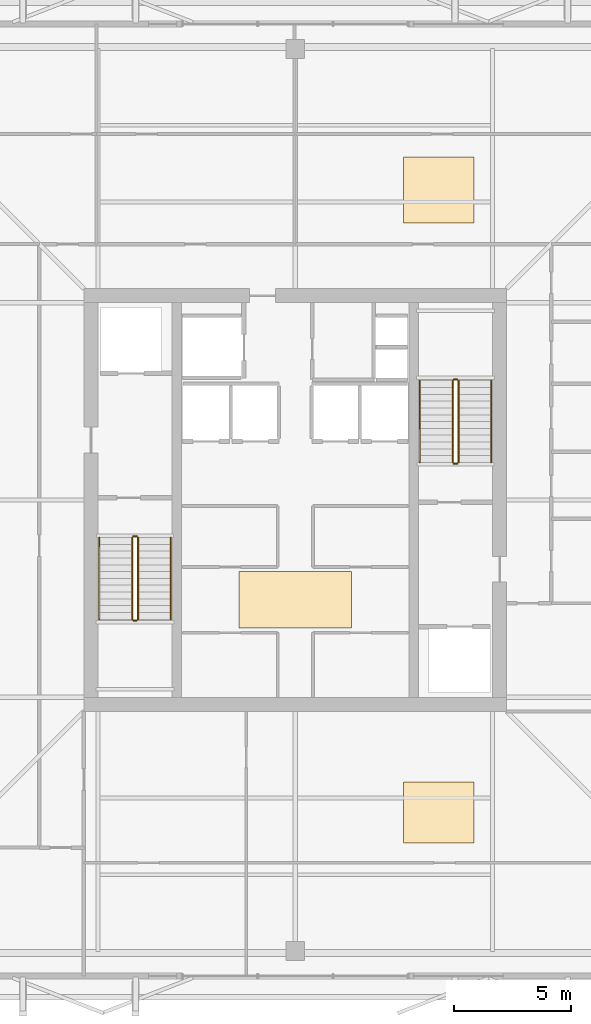
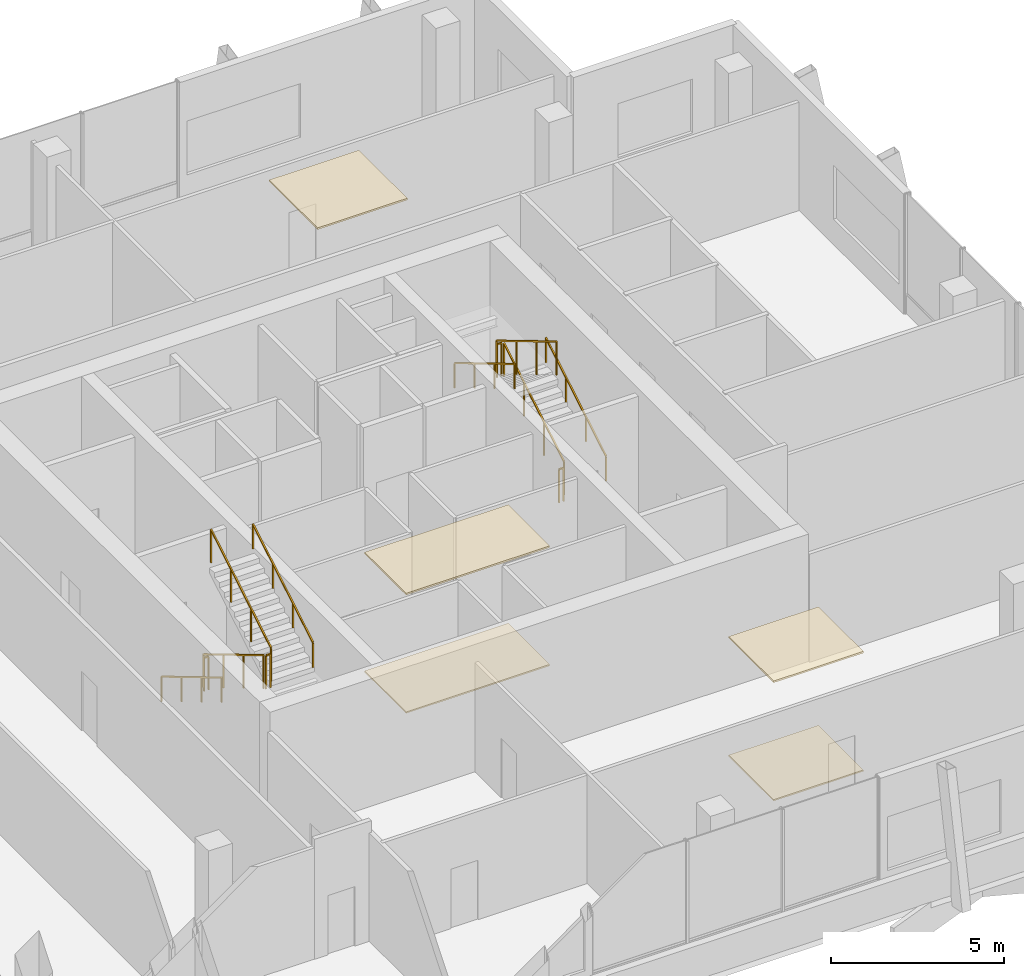
# One storey, part 17 of 17: 12 railings, 5 coverings.
"""IFC4 building model written with IfcOpenShell, lengths in metres."""

import ifcopenshell
import ifcopenshell.guid

model = None  # the IFC model being written
_history = None  # IfcOwnerHistory: only IFC2X3 demands one
_inside = {}  # id of a spatial element -> (the spatial element, [elements in it])
_under = {}  # id of a project, library or spatial element -> (it, [spatial elements below it])
_declared = {}  # id of a project -> (the project, [libraries it declares])
_typed = {}  # id of a type object -> (the type object, [elements of that type])
_made_of = {}  # id of a material, layer set ... -> (it, [elements and type objects made of it])


def new_model(schema):
    """Start an empty IFC model of exactly this schema.

    Asked for "IFC4X3", IfcOpenShell would pick the latest addendum, in which some entities
    have other attributes; the version numbers below select the first issue.
    IFC2X3 requires an IfcOwnerHistory on every rooted entity: one is made here for all.
    """
    global model, _history
    if schema == "IFC4X3":
        model = ifcopenshell.file(schema_version=(4, 3, 0, 0))
    else:
        model = ifcopenshell.file(schema=schema)
    _inside.clear()
    _under.clear()
    _declared.clear()
    _typed.clear()
    _made_of.clear()
    _history = None
    if model.schema == "IFC2X3":
        org = make("IfcOrganization", Name="unknown")
        user = make(
            "IfcPersonAndOrganization",
            ThePerson=make("IfcPerson", FamilyName="unknown"),
            TheOrganization=org,
        )
        app = make(
            "IfcApplication",
            ApplicationDeveloper=org,
            Version="unknown",
            ApplicationFullName="unknown",
            ApplicationIdentifier="unknown",
        )
        _history = make(
            "IfcOwnerHistory",
            OwningUser=user,
            OwningApplication=app,
            ChangeAction="ADDED",
            CreationDate=0,
        )
    return model


def make(cls, **values):
    """One entity of the class cls with the attributes given. An attribute that is None is left unset."""
    return model.create_entity(
        cls, **{name: value for name, value in values.items() if value is not None}
    )


def rooted(cls, **values):
    """An entity with a GlobalId (a new one), such as an element, a storey or a relation."""
    return make(cls, GlobalId=ifcopenshell.guid.new(), OwnerHistory=_history, **values)


def si_unit(unit_type, name, prefix=None):
    """IfcSIUnit, for example si_unit("LENGTHUNIT", "METRE", prefix="MILLI")."""
    return make("IfcSIUnit", UnitType=unit_type, Prefix=prefix, Name=name)


def assignment(units):
    """IfcUnitAssignment: the units of a project."""
    return None if units is None else make("IfcUnitAssignment", Units=units)


def point(xyz):
    """IfcCartesianPoint."""
    return None if xyz is None else make("IfcCartesianPoint", Coordinates=xyz)


def direction(xyz):
    """IfcDirection."""
    return None if xyz is None else make("IfcDirection", DirectionRatios=xyz)


def frame(location, z_axis=None, x_axis=None):
    """IfcAxis2Placement3D, a coordinate frame: its origin and axes. An axis left out is left unset."""
    return make(
        "IfcAxis2Placement3D",
        Location=point(location),
        Axis=direction(z_axis),
        RefDirection=direction(x_axis),
    )


def frame_2d(location, x_axis=None):
    """IfcAxis2Placement2D, a coordinate frame in the plane: its origin and x axis."""
    return make(
        "IfcAxis2Placement2D", Location=point(location), RefDirection=direction(x_axis)
    )


def origin():
    """The frame at (0, 0, 0) with its axes left unset."""
    return frame((0.0, 0.0, 0.0))


def origin_2d():
    """The frame at (0, 0) in the plane with its x axis left unset."""
    return frame_2d((0.0, 0.0))


def place(relative_to, where):
    """IfcLocalPlacement: puts the frame where relative to a parent placement (None: the world)."""
    return make(
        "IfcLocalPlacement", PlacementRelTo=relative_to, RelativePlacement=where
    )


def context(
    kind, dimensions, precision=None, world=None, true_north=None, identifier=None
):
    """IfcGeometricRepresentationContext, for example the 3D "Model" context."""
    return make(
        "IfcGeometricRepresentationContext",
        ContextIdentifier=identifier,
        ContextType=kind,
        CoordinateSpaceDimension=dimensions,
        Precision=precision,
        WorldCoordinateSystem=world,
        TrueNorth=true_north,
    )


def subcontext(parent, identifier, kind, view, scale=None):
    """IfcGeometricRepresentationSubContext, for example "Body" below "Model"."""
    return make(
        "IfcGeometricRepresentationSubContext",
        ContextIdentifier=identifier,
        ContextType=kind,
        ParentContext=parent,
        TargetScale=scale,
        TargetView=view,
    )


def project(units=None, contexts=None):
    """IfcProject with its units and contexts."""
    return rooted(
        "IfcProject",
        Name="project",
        RepresentationContexts=contexts,
        UnitsInContext=assignment(units),
    )


def spatial(cls, under=None, at=None, **own):
    """A site, building, storey or space (cls), placed at a placement, below another one or the project."""
    s = rooted(cls, ObjectPlacement=at, **own)
    if under is not None:
        _under.setdefault(under.id(), (under, []))[1].append(s)
    return s


def polyline(points):
    """IfcPolyline through the points."""
    return make("IfcPolyline", Points=[point(p) for p in points])


def profile(cls, at=None, kind="AREA", **sizes):
    """A parametric profile (cls). Its sizes go by their IFC names, for example OverallWidth=200.0."""
    return make(cls, ProfileType=kind, Position=at, **sizes)


def rectangle(**sizes):
    """IfcRectangleProfileDef."""
    return profile("IfcRectangleProfileDef", **sizes)


def outline(outer, holes=None, kind="AREA"):
    """IfcArbitraryClosedProfileDef: a profile drawn as a closed curve; with holes, ...WithVoids."""
    if holes is None:
        return make("IfcArbitraryClosedProfileDef", ProfileType=kind, OuterCurve=outer)
    return make(
        "IfcArbitraryProfileDefWithVoids",
        ProfileType=kind,
        OuterCurve=outer,
        InnerCurves=holes,
    )


def extrude(swept, where, along, depth):
    """IfcExtrudedAreaSolid: the profile swept, set in the frame where, extruded along a direction by depth."""
    return make(
        "IfcExtrudedAreaSolid",
        SweptArea=swept,
        Position=where,
        ExtrudedDirection=direction(along),
        Depth=depth,
    )


def shape(context_of_items, identifier, shape_type, items):
    """IfcShapeRepresentation: the items that make up one representation, for example the "Body"."""
    return make(
        "IfcShapeRepresentation",
        ContextOfItems=context_of_items,
        RepresentationIdentifier=identifier,
        RepresentationType=shape_type,
        Items=items,
    )


def material(Name=None, Category=None):
    """IfcMaterial."""
    return make("IfcMaterial", Name=Name, Category=Category)


def layer(
    of_material, thickness, ventilated=None, Name=None, Category=None, Priority=None
):
    """IfcMaterialLayer: one layer of a wall or slab, of a material (None: an air gap)."""
    return make(
        "IfcMaterialLayer",
        Material=of_material,
        LayerThickness=thickness,
        IsVentilated=ventilated,
        Name=Name,
        Category=Category,
        Priority=Priority,
    )


def layer_set(layers, Name=None):
    """IfcMaterialLayerSet."""
    return make("IfcMaterialLayerSet", MaterialLayers=layers, LayerSetName=Name)


def made_of(thing, what):
    """Note that an element or type object is made of a material, layer set ...; save() writes the relation."""
    if what is not None:
        _made_of.setdefault(what.id(), (what, []))[1].append(thing)
    return thing


def type_object(cls, material=None, **own):
    """A type object (cls), such as IfcWallType, which elements share."""
    return made_of(rooted(cls, **own), material)


def element(
    cls,
    number,
    at=None,
    inside=None,
    cuts=None,
    type_object=None,
    material=None,
    context=None,
    identifier="Body",
    shape_type=None,
    held_by="IfcProductDefinitionShape",
    body=None,
    shapes=None,
    **own,
):
    """One element of the class cls, such as IfcWall. Its Tag is "e" and its number.

    at: its placement. inside: the storey or other place that contains it. cuts: it is an
    opening in that element (IfcRelVoidsElement). A single representation is given by context,
    identifier, shape_type and body (its items); several are given by shapes. held_by: the class
    of the entity that holds the representations. save() writes the other relations.
    """
    e = rooted(cls, Tag="e%d" % number, ObjectPlacement=at, **own)
    if body is not None:
        shapes = [shape(context, identifier, shape_type, body)]
    if shapes is not None:
        e.Representation = make(held_by, Representations=shapes)
    if inside is not None:
        _inside.setdefault(inside.id(), (inside, []))[1].append(e)
    if cuts is not None:
        rooted(
            "IfcRelVoidsElement", RelatingBuildingElement=cuts, RelatedOpeningElement=e
        )
    if type_object is not None:
        _typed.setdefault(type_object.id(), (type_object, []))[1].append(e)
    return made_of(e, material)


def aggregate(whole, parts):
    """IfcRelAggregates: a whole, such as a stair, and the parts it consists of."""
    return rooted("IfcRelAggregates", RelatingObject=whole, RelatedObjects=parts)


def save(model, path):
    """Write the relations noted so far, then the file.

    IfcRelAggregates (storeys below a building ...), IfcRelContainedInSpatialStructure (elements
    in a storey), IfcRelDefinesByType, IfcRelAssociatesMaterial and IfcRelDeclares: one each for
    every whole, place, type object, material and project.
    """
    for whole, parts in _under.values():
        aggregate(whole, parts)
    for where, things in _inside.values():
        rooted(
            "IfcRelContainedInSpatialStructure",
            RelatedElements=things,
            RelatingStructure=where,
        )
    for kind, things in _typed.values():
        rooted("IfcRelDefinesByType", RelatedObjects=things, RelatingType=kind)
    for what, things in _made_of.values():
        rooted("IfcRelAssociatesMaterial", RelatedObjects=things, RelatingMaterial=what)
    for by, libraries in _declared.values():
        rooted("IfcRelDeclares", RelatingContext=by, RelatedDefinitions=libraries)
    model.write(path)


model = new_model("IFC4")

# Units and contexts
model_context = context("Model", 3, precision=1e-05, world=origin(), true_north=direction((0.0, 1.0)))
body_context = subcontext(model_context, "Body", "Model", "MODEL_VIEW")
ifc_project = project(units=[si_unit("LENGTHUNIT", "METRE"), si_unit("AREAUNIT", "SQUARE_METRE"), si_unit("VOLUMEUNIT", "CUBIC_METRE"), si_unit("PLANEANGLEUNIT", "RADIAN"), si_unit("MASSUNIT", "GRAM", prefix="KILO")], contexts=[model_context])

# Site, building, storey
site_placement = place(None, origin())
site = spatial("IfcSite", under=ifc_project, at=site_placement, CompositionType="ELEMENT")
building_placement = place(site_placement, origin())
building = spatial("IfcBuilding", under=site, at=building_placement, Name="Belovzor Exchange Tower", CompositionType="ELEMENT")
storey_placement = place(building_placement, frame((0.0, 0.0, 355.5)))
storey = spatial("IfcBuildingStorey", under=building, at=storey_placement, Name="L89", CompositionType="ELEMENT", Elevation=355.5)

# Railings
ifc_material_1 = material(Name="Stainless Steel Grade 304", Category="steel")
railing_type_1 = type_object("IfcRailingType", Name="Brushed Stainless Steel Stair Handrail 900", PredefinedType="HANDRAIL", material=ifc_material_1)
railing_1_placement = place(storey_placement, frame((20.449951171875, 27.199951171875, 0.173095703125)))
element("IfcRailing", 1, at=railing_1_placement, inside=storey, type_object=railing_type_1, Name="L89 ST-1 stair handrail 1", PredefinedType="HANDRAIL", context=body_context, shape_type="SweptSolid", body=[
    extrude(rectangle(XDim=0.048095703125, YDim=0.048095703125, at=origin_2d()), frame((0.0, 0.0, 0.8759765625), z_axis=(0.0, -0.858697190188, 0.512483302717), x_axis=(1.0, 0.0, 0.0)), (0.0, 0.0, 1.0), 4.052734375),
    extrude(rectangle(XDim=0.0419921875, YDim=0.0419921875, at=origin_2d()), origin(), (0.0, 0.0, 1.0), 0.851806640625),
    extrude(rectangle(XDim=0.0419921875, YDim=0.0419921875, at=origin_2d()), frame((0.0, -1.159912109375, 0.6923828125)), (0.0, 0.0, 1.0), 0.851806640625),
    extrude(rectangle(XDim=0.0419921875, YDim=0.0419921875, at=origin_2d()), frame((0.0, -2.320068359375, 1.384521484375)), (0.0, 0.0, 1.0), 0.851806640625),
    extrude(rectangle(XDim=0.0419921875, YDim=0.0419921875, at=origin_2d()), frame((0.0, -3.47998046875, 2.076904296875)), (0.0, 0.0, 1.0), 0.851806640625),
])
for number, where, name in (
    (2, (23.5, 23.719970703125, 2.423095703125), "L89 ST-1 stair handrail 2"),
    (3, (37.14990234375, 30.39990234375, 0.173095703125), "L89 ST-2 stair handrail 1"),
):
    element("IfcRailing", number, at=place(storey_placement, frame(where)), inside=storey, type_object=railing_type_1, Name=name, PredefinedType="HANDRAIL", context=body_context, shape_type="SweptSolid", body=[
        extrude(rectangle(XDim=0.048095703125, YDim=0.048095703125, at=origin_2d()), frame((0.0, 0.0, 0.8759765625), z_axis=(0.0, 0.858697190188, 0.512483302717), x_axis=(-1.0, 0.0, 0.0)), (0.0, 0.0, 1.0), 4.052734375),
        extrude(rectangle(XDim=0.0419921875, YDim=0.0419921875, at=origin_2d()), origin(), (0.0, 0.0, 1.0), 0.851806640625),
        extrude(rectangle(XDim=0.0419921875, YDim=0.0419921875, at=origin_2d()), frame((0.0, 1.159912109375, 0.6923828125)), (0.0, 0.0, 1.0), 0.851806640625),
        extrude(rectangle(XDim=0.0419921875, YDim=0.0419921875, at=origin_2d()), frame((0.0, 2.320068359375, 1.384521484375)), (0.0, 0.0, 1.0), 0.851806640625),
        extrude(rectangle(XDim=0.0419921875, YDim=0.0419921875, at=origin_2d()), frame((0.0, 3.47998046875, 2.076904296875)), (0.0, 0.0, 1.0), 0.851806640625),
    ])
railing_2_placement = place(storey_placement, frame((34.10009765625, 33.8798828125, 2.423095703125)))
element("IfcRailing", 4, at=railing_2_placement, inside=storey, type_object=railing_type_1, Name="L89 ST-2 stair handrail 2", PredefinedType="HANDRAIL", context=body_context, shape_type="SweptSolid", body=[
    extrude(rectangle(XDim=0.048095703125, YDim=0.048095703125, at=origin_2d()), frame((0.0, 0.0, 0.8759765625), z_axis=(0.0, -0.858697190188, 0.512483302717), x_axis=(1.0, 0.0, 0.0)), (0.0, 0.0, 1.0), 4.052734375),
    extrude(rectangle(XDim=0.0419921875, YDim=0.0419921875, at=origin_2d()), origin(), (0.0, 0.0, 1.0), 0.851806640625),
    extrude(rectangle(XDim=0.0419921875, YDim=0.0419921875, at=origin_2d()), frame((0.0, -1.159912109375, 0.6923828125)), (0.0, 0.0, 1.0), 0.851806640625),
    extrude(rectangle(XDim=0.0419921875, YDim=0.0419921875, at=origin_2d()), frame((0.0, -2.320068359375, 1.384521484375)), (0.0, 0.0, 1.0), 0.851806640625),
    extrude(rectangle(XDim=0.0419921875, YDim=0.0419921875, at=origin_2d()), frame((0.0, -3.47998046875, 2.076904296875)), (0.0, 0.0, 1.0), 0.851806640625),
])
ifc_material_2 = material(Name="Steel S355", Category="steel")
railing_type_2 = type_object("IfcRailingType", Name="Painted Steel Stairwell Guardrail 1200", PredefinedType="GUARDRAIL", material=ifc_material_2)
railing_3_placement = place(storey_placement, frame((21.85009765625, 27.199951171875, 0.173095703125)))
element("IfcRailing", 5, at=railing_3_placement, inside=storey, type_object=railing_type_2, Name="L89 ST-1 stair guard 1", PredefinedType="GUARDRAIL", context=body_context, shape_type="SweptSolid", body=[
    extrude(rectangle(XDim=0.048095703125, YDim=0.048095703125, at=origin_2d()), frame((0.0, 0.0, 1.17578125), z_axis=(0.0, -0.858697190188, 0.512483302717), x_axis=(1.0, 0.0, 0.0)), (0.0, 0.0, 1.0), 4.052734375),
    extrude(rectangle(XDim=0.0419921875, YDim=0.0419921875, at=origin_2d()), origin(), (0.0, 0.0, 1.0), 1.15185546875),
    extrude(rectangle(XDim=0.0419921875, YDim=0.0419921875, at=origin_2d()), frame((0.0, -1.159912109375, 0.6923828125)), (0.0, 0.0, 1.0), 1.15185546875),
    extrude(rectangle(XDim=0.0419921875, YDim=0.0419921875, at=origin_2d()), frame((0.0, -2.320068359375, 1.384521484375)), (0.0, 0.0, 1.0), 1.15185546875),
    extrude(rectangle(XDim=0.0419921875, YDim=0.0419921875, at=origin_2d()), frame((0.0, -3.47998046875, 2.076904296875)), (0.0, 0.0, 1.0), 1.15185546875),
])
railing_4_placement = place(storey_placement, frame((21.89990234375, 23.669921875, 2.25)))
element("IfcRailing", 6, at=railing_4_placement, inside=storey, type_object=railing_type_2, Name="L89 ST-1 stair guard 2", PredefinedType="GUARDRAIL", context=body_context, shape_type="SweptSolid", body=[
    extrude(rectangle(XDim=0.048095703125, YDim=0.048095703125, at=origin_2d()), frame((0.0, 0.0, 1.17578125), z_axis=(1.0, 0.0, 0.0), x_axis=(0.0, 1.0, 0.0)), (0.0, 0.0, 1.0), 0.150146484375),
    extrude(rectangle(XDim=0.0419921875, YDim=0.0419921875, at=origin_2d()), origin(), (0.0, 0.0, 1.0), 1.15185546875),
    extrude(rectangle(XDim=0.0419921875, YDim=0.0419921875, at=origin_2d()), frame((0.150146484375, 0.0, 0.0)), (0.0, 0.0, 1.0), 1.15185546875),
])
railing_5_placement = place(storey_placement, frame((22.10009765625, 23.719970703125, 2.423095703125)))
element("IfcRailing", 7, at=railing_5_placement, inside=storey, type_object=railing_type_2, Name="L89 ST-1 stair guard 3", PredefinedType="GUARDRAIL", context=body_context, shape_type="SweptSolid", body=[
    extrude(rectangle(XDim=0.048095703125, YDim=0.048095703125, at=origin_2d()), frame((0.0, 0.0, 1.17578125), z_axis=(0.0, 0.858697190188, 0.512483302717), x_axis=(-1.0, 0.0, 0.0)), (0.0, 0.0, 1.0), 4.052734375),
    extrude(rectangle(XDim=0.0419921875, YDim=0.0419921875, at=origin_2d()), origin(), (0.0, 0.0, 1.0), 1.15185546875),
    extrude(rectangle(XDim=0.0419921875, YDim=0.0419921875, at=origin_2d()), frame((0.0, 1.159912109375, 0.6923828125)), (0.0, 0.0, 1.0), 1.15185546875),
    extrude(rectangle(XDim=0.0419921875, YDim=0.0419921875, at=origin_2d()), frame((0.0, 2.320068359375, 1.384521484375)), (0.0, 0.0, 1.0), 1.15185546875),
    extrude(rectangle(XDim=0.0419921875, YDim=0.0419921875, at=origin_2d()), frame((0.0, 3.47998046875, 2.076904296875)), (0.0, 0.0, 1.0), 1.15185546875),
])
railing_6_placement = place(storey_placement, frame((21.89990234375, 27.25, 0.0)))
element("IfcRailing", 8, at=railing_6_placement, inside=storey, type_object=railing_type_2, Name="L89 ST-1 stair guard 4", PredefinedType="GUARDRAIL", context=body_context, shape_type="SweptSolid", body=[
    extrude(rectangle(XDim=0.048095703125, YDim=0.048095703125, at=origin_2d()), frame((0.0, 0.0, 1.17578125), z_axis=(1.0, 0.0, 0.0), x_axis=(0.0, 1.0, 0.0)), (0.0, 0.0, 1.0), 0.150146484375),
    extrude(rectangle(XDim=0.0419921875, YDim=0.0419921875, at=origin_2d()), origin(), (0.0, 0.0, 1.0), 1.15185546875),
    extrude(rectangle(XDim=0.0419921875, YDim=0.0419921875, at=origin_2d()), frame((0.150146484375, 0.0, 0.0)), (0.0, 0.0, 1.0), 1.15185546875),
])
railing_7_placement = place(storey_placement, frame((35.75, 30.39990234375, 0.173095703125)))
element("IfcRailing", 9, at=railing_7_placement, inside=storey, type_object=railing_type_2, Name="L89 ST-2 stair guard 1", PredefinedType="GUARDRAIL", context=body_context, shape_type="SweptSolid", body=[
    extrude(rectangle(XDim=0.048095703125, YDim=0.048095703125, at=origin_2d()), frame((0.0, 0.0, 1.17578125), z_axis=(0.0, 0.858697190188, 0.512483302717), x_axis=(-1.0, 0.0, 0.0)), (0.0, 0.0, 1.0), 4.052734375),
    extrude(rectangle(XDim=0.0419921875, YDim=0.0419921875, at=origin_2d()), origin(), (0.0, 0.0, 1.0), 1.15185546875),
    extrude(rectangle(XDim=0.0419921875, YDim=0.0419921875, at=origin_2d()), frame((0.0, 1.159912109375, 0.6923828125)), (0.0, 0.0, 1.0), 1.15185546875),
    extrude(rectangle(XDim=0.0419921875, YDim=0.0419921875, at=origin_2d()), frame((0.0, 2.320068359375, 1.384521484375)), (0.0, 0.0, 1.0), 1.15185546875),
    extrude(rectangle(XDim=0.0419921875, YDim=0.0419921875, at=origin_2d()), frame((0.0, 3.47998046875, 2.076904296875)), (0.0, 0.0, 1.0), 1.15185546875),
])
railing_8_placement = place(storey_placement, frame((35.699951171875, 33.929931640625, 2.25)))
element("IfcRailing", 10, at=railing_8_placement, inside=storey, type_object=railing_type_2, Name="L89 ST-2 stair guard 2", PredefinedType="GUARDRAIL", context=body_context, shape_type="SweptSolid", body=[
    extrude(rectangle(XDim=0.048095703125, YDim=0.048095703125, at=origin_2d()), frame((0.0, 0.0, 1.17578125), z_axis=(-1.0, 0.0, 0.0), x_axis=(0.0, -1.0, 0.0)), (0.0, 0.0, 1.0), 0.14990234375),
    extrude(rectangle(XDim=0.0419921875, YDim=0.0419921875, at=origin_2d()), origin(), (0.0, 0.0, 1.0), 1.15185546875),
    extrude(rectangle(XDim=0.0419921875, YDim=0.0419921875, at=origin_2d()), frame((-0.14990234375, 0.0, 0.0)), (0.0, 0.0, 1.0), 1.15185546875),
])
railing_9_placement = place(storey_placement, frame((35.5, 33.8798828125, 2.423095703125)))
element("IfcRailing", 11, at=railing_9_placement, inside=storey, type_object=railing_type_2, Name="L89 ST-2 stair guard 3", PredefinedType="GUARDRAIL", context=body_context, shape_type="SweptSolid", body=[
    extrude(rectangle(XDim=0.048095703125, YDim=0.048095703125, at=origin_2d()), frame((0.0, 0.0, 1.17578125), z_axis=(0.0, -0.858697190188, 0.512483302717), x_axis=(1.0, 0.0, 0.0)), (0.0, 0.0, 1.0), 4.052734375),
    extrude(rectangle(XDim=0.0419921875, YDim=0.0419921875, at=origin_2d()), origin(), (0.0, 0.0, 1.0), 1.15185546875),
    extrude(rectangle(XDim=0.0419921875, YDim=0.0419921875, at=origin_2d()), frame((0.0, -1.159912109375, 0.6923828125)), (0.0, 0.0, 1.0), 1.15185546875),
    extrude(rectangle(XDim=0.0419921875, YDim=0.0419921875, at=origin_2d()), frame((0.0, -2.320068359375, 1.384521484375)), (0.0, 0.0, 1.0), 1.15185546875),
    extrude(rectangle(XDim=0.0419921875, YDim=0.0419921875, at=origin_2d()), frame((0.0, -3.47998046875, 2.076904296875)), (0.0, 0.0, 1.0), 1.15185546875),
])
railing_10_placement = place(storey_placement, frame((35.699951171875, 30.35009765625, 0.0)))
element("IfcRailing", 12, at=railing_10_placement, inside=storey, type_object=railing_type_2, Name="L89 ST-2 stair guard 4", PredefinedType="GUARDRAIL", context=body_context, shape_type="SweptSolid", body=[
    extrude(rectangle(XDim=0.048095703125, YDim=0.048095703125, at=origin_2d()), frame((0.0, 0.0, 1.17578125), z_axis=(-1.0, 0.0, 0.0), x_axis=(0.0, -1.0, 0.0)), (0.0, 0.0, 1.0), 0.14990234375),
    extrude(rectangle(XDim=0.0419921875, YDim=0.0419921875, at=origin_2d()), origin(), (0.0, 0.0, 1.0), 1.15185546875),
    extrude(rectangle(XDim=0.0419921875, YDim=0.0419921875, at=origin_2d()), frame((-0.14990234375, 0.0, 0.0)), (0.0, 0.0, 1.0), 1.15185546875),
])

# Coverings
ifc_material_3 = material(Name="Perforated Powder-Coated Aluminium", Category="aluminium")
ifc_layer_1 = layer(ifc_material_3, 0.06005859375)
ifc_layer_set_1 = layer_set([ifc_layer_1], Name="Perforated Powder-Coated Aluminium")
covering_type_1 = type_object("IfcCoveringType", Name="Perforated Acoustic Metal Tile Suspended Ceiling 60", PredefinedType="CEILING", material=ifc_layer_set_1)
covering_1_placement = place(storey_placement, frame((0.0, 0.0, 4.179931640625)))
element("IfcCovering", 13, at=covering_1_placement, inside=storey, type_object=covering_type_1, Name="CLG-AC60 Suspended Ceiling CLG-L89-LOB", PredefinedType="CEILING", context=body_context, shape_type="SweptSolid", body=[
    extrude(outline(polyline([(26.39990234375, 23.35009765625), (31.199951171875, 23.35009765625), (31.199951171875, 25.75), (26.39990234375, 25.75), (26.39990234375, 23.35009765625)])), origin(), (0.0, 0.0, 1.0), 0.06005859375),
])
covering_2_placement = place(storey_placement, frame((0.0, 0.0, 4.179931640625)))
element("IfcCovering", 14, at=covering_2_placement, inside=storey, type_object=covering_type_1, Name="CLG-AC60 Suspended Ceiling CLG-L89-Z1", PredefinedType="CEILING", context=body_context, shape_type="SweptSolid", body=[
    extrude(outline(polyline([(33.39990234375, 14.199951171875), (36.39990234375, 14.199951171875), (36.39990234375, 16.800048828125), (33.39990234375, 16.800048828125), (33.39990234375, 14.199951171875)])), origin(), (0.0, 0.0, 1.0), 0.06005859375),
])
covering_3_placement = place(storey_placement, frame((0.0, 0.0, 4.179931640625)))
element("IfcCovering", 15, at=covering_3_placement, inside=storey, type_object=covering_type_1, Name="CLG-AC60 Suspended Ceiling CLG-L89-Z2", PredefinedType="CEILING", context=body_context, shape_type="SweptSolid", body=[
    extrude(outline(polyline([(33.39990234375, 40.60009765625), (36.39990234375, 40.60009765625), (36.39990234375, 43.39990234375), (33.39990234375, 43.39990234375), (33.39990234375, 40.60009765625)])), origin(), (0.0, 0.0, 1.0), 0.06005859375),
])
ifc_material_4 = material(Name="Polished Natural Granite Tile", Category="masonry")
ifc_layer_2 = layer(ifc_material_4, 0.050048828125)
ifc_layer_set_2 = layer_set([ifc_layer_2], Name="Polished Natural Granite Tile")
covering_type_2 = type_object("IfcCoveringType", Name="Polished Karelian Granite & Raised Access Floor Finish 50", PredefinedType="FLOORING", material=ifc_layer_set_2)
covering_4_placement = place(storey_placement, origin())
element("IfcCovering", 16, at=covering_4_placement, inside=storey, type_object=covering_type_2, Name="FLR-GR50 Floor Finish FLR-L89-LOB", PredefinedType="FLOORING", context=body_context, shape_type="SweptSolid", body=[
    extrude(outline(polyline([(26.39990234375, 23.35009765625), (31.199951171875, 23.35009765625), (31.199951171875, 25.75), (26.39990234375, 25.75), (26.39990234375, 23.35009765625)])), origin(), (0.0, 0.0, 1.0), 0.050048828125),
])
covering_5_placement = place(storey_placement, origin())
element("IfcCovering", 17, at=covering_5_placement, inside=storey, type_object=covering_type_2, Name="FLR-GR50 Floor Finish FLR-L89-Z1", PredefinedType="FLOORING", context=body_context, shape_type="SweptSolid", body=[
    extrude(outline(polyline([(33.39990234375, 14.199951171875), (36.39990234375, 14.199951171875), (36.39990234375, 16.800048828125), (33.39990234375, 16.800048828125), (33.39990234375, 14.199951171875)])), origin(), (0.0, 0.0, 1.0), 0.050048828125),
])

save(model, "model.ifc")
